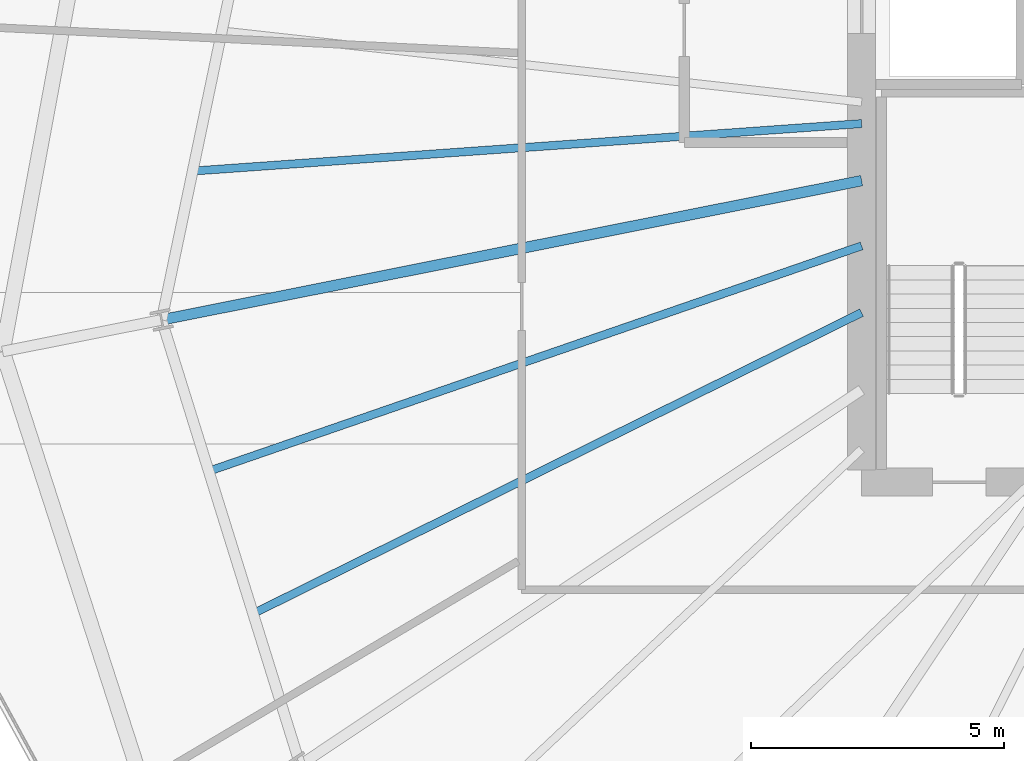
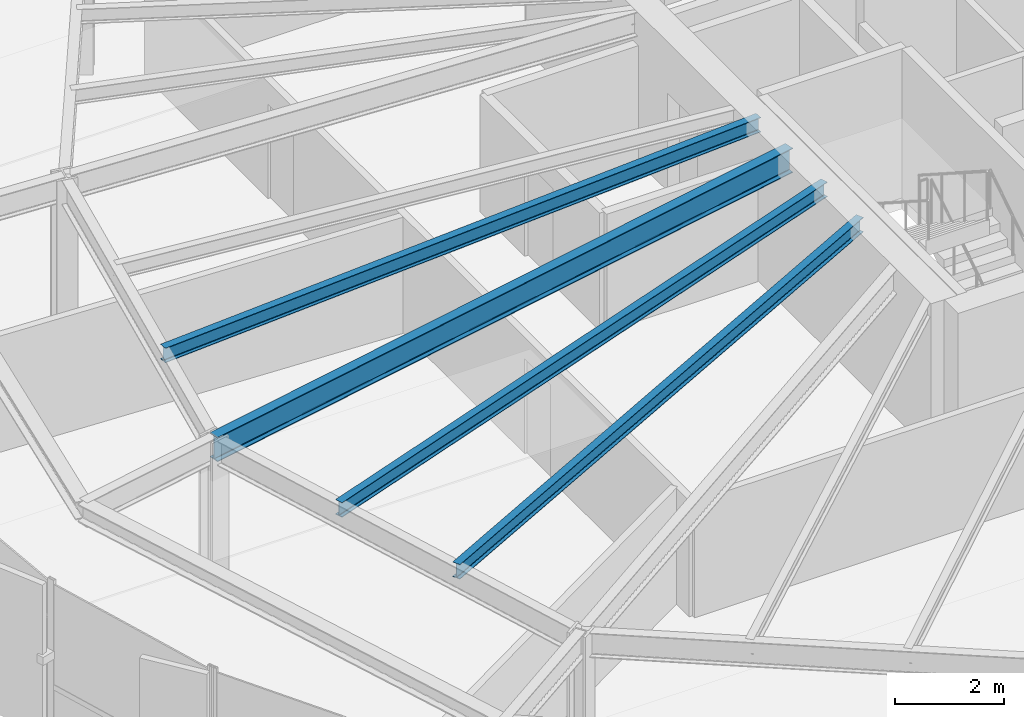
# One storey, part 8 of 34: 4 beams.
"""IFC4 building model written with IfcOpenShell, lengths in metres."""

from ifc_helpers import new_model, si_unit, direction, frame, origin, origin_2d, place, context, subcontext, project, spatial, i_section, extrude, source, transform, mapped, material, material_profile, profile_set, type_object, element, save


model = new_model("IFC4")

# Units and contexts
model_context = context("Model", 3, precision=1e-05, world=origin(), true_north=direction((0.0, 1.0)))
body_context = subcontext(model_context, "Body", "Model", "MODEL_VIEW")
ifc_project = project(units=[si_unit("LENGTHUNIT", "METRE"), si_unit("AREAUNIT", "SQUARE_METRE"), si_unit("VOLUMEUNIT", "CUBIC_METRE"), si_unit("PLANEANGLEUNIT", "RADIAN"), si_unit("MASSUNIT", "GRAM", prefix="KILO"), si_unit("THERMODYNAMICTEMPERATUREUNIT", "KELVIN")], contexts=[model_context])

# Site, building, storey
site_placement = place(None, origin())
site = spatial("IfcSite", under=ifc_project, at=site_placement, CompositionType="ELEMENT")
building_placement = place(site_placement, origin())
building = spatial("IfcBuilding", under=site, at=building_placement, Name="Kethvar Cultural Tower", CompositionType="ELEMENT")
storey_placement = place(building_placement, frame((0.0, 0.0, 125.199951171875)))
storey = spatial("IfcBuildingStorey", under=building, at=storey_placement, Name="L31", CompositionType="ELEMENT", Elevation=125.199951171875)

# Beams
ifc_material = material(Name="Steel S355J2", Category="steel")
ifc_material_profile_1 = material_profile(ifc_material, i_section(OverallWidth=0.2099609375, OverallDepth=0.550048828125, WebThickness=0.010986328125, FlangeThickness=0.01708984375, FilletRadius=0.02392578125, at=origin_2d()), Name="Steel S355J2 — IPE550")
ifc_profile_set_1 = profile_set([ifc_material_profile_1], Name="Steel S355J2 — IPE550")
beam_type_1 = type_object("IfcBeamType", Name="BM-IPE550", PredefinedType="BEAM", material=ifc_profile_set_1)
shared_shape_1 = source(origin(), body_context, "Body", "SweptSolid", [
    extrude(i_section(OverallWidth=0.2099609375, OverallDepth=0.550048828125, WebThickness=0.010986328125, FlangeThickness=0.01708984375, FilletRadius=0.02392578125, at=origin_2d()), origin(), (0.0, 0.0, 1.0), 14.085205078125),
])
beam_1_placement = place(storey_placement, frame((38.0, 26.049560546875, 3.072998046875), z_axis=(-0.98078679373, -0.195082713854, 0.0), x_axis=(0.195082713854, -0.98078679373, 0.0)))
element("IfcBeam", 1, at=beam_1_placement, inside=storey, type_object=beam_type_1, Name="L31 Primary Radial Beam RB-09", PredefinedType="BEAM", context=body_context, shape_type="MappedRepresentation", body=[
    mapped(shared_shape_1, transform((0.0, 0.0, 0.0), scale=1.0)),
])
ifc_material_profile_2 = material_profile(ifc_material, i_section(OverallWidth=0.159912109375, OverallDepth=0.330078125, WebThickness=0.007568359375, FlangeThickness=0.011474609375, FilletRadius=0.01806640625, at=origin_2d()), Name="Steel S355J2 — IPE330")
ifc_profile_set_2 = profile_set([ifc_material_profile_2], Name="Steel S355J2 — IPE330")
beam_type_2 = type_object("IfcBeamType", Name="BM-J330", PredefinedType="JOIST", material=ifc_profile_set_2)
shared_shape_2 = source(origin(), body_context, "Body", "SweptSolid", [
    extrude(i_section(OverallWidth=0.159912109375, OverallDepth=0.330078125, WebThickness=0.007568359375, FlangeThickness=0.011474609375, FilletRadius=0.01806640625, at=origin_2d()), origin(), (0.0, 0.0, 1.0), 13.234619140625),
])
beam_2_placement = place(storey_placement, frame((38.0, 27.175537109375, 3.18310546875), z_axis=(-0.997490530945, -0.070800004767, 0.0), x_axis=(0.070800004767, -0.997490530945, 0.0)))
element("IfcBeam", 2, at=beam_2_placement, inside=storey, type_object=beam_type_2, Name="L31 Composite Floor Joist J-08B", PredefinedType="JOIST", context=body_context, shape_type="MappedRepresentation", body=[
    mapped(shared_shape_2, transform((0.0, 0.0, 0.0), scale=1.0)),
])
shared_shape_3 = source(origin(), body_context, "Body", "SweptSolid", [
    extrude(i_section(OverallWidth=0.159912109375, OverallDepth=0.330078125, WebThickness=0.007568359375, FlangeThickness=0.011474609375, FilletRadius=0.01806640625, at=origin_2d()), origin(), (0.0, 0.0, 1.0), 13.630615234375),
])
beam_3_placement = place(storey_placement, frame((38.0, 24.762451171875, 3.18310546875), z_axis=(-0.945269577646, -0.326290400682, 0.0), x_axis=(0.326290400682, -0.945269577646, 0.0)))
element("IfcBeam", 3, at=beam_3_placement, inside=storey, type_object=beam_type_2, Name="L31 Composite Floor Joist J-09A", PredefinedType="JOIST", context=body_context, shape_type="MappedRepresentation", body=[
    mapped(shared_shape_3, transform((0.0, 0.0, 0.0), scale=1.0)),
])
shared_shape_4 = source(origin(), body_context, "Body", "SweptSolid", [
    extrude(i_section(OverallWidth=0.159912109375, OverallDepth=0.330078125, WebThickness=0.007568359375, FlangeThickness=0.011474609375, FilletRadius=0.01806640625, at=origin_2d()), origin(), (0.0, 0.0, 1.0), 13.39892578125),
])
beam_4_placement = place(storey_placement, frame((38.0, 23.44580078125, 3.18310546875), z_axis=(-0.896292467417, -0.44346342899, 0.0), x_axis=(0.44346342899, -0.896292467417, 0.0)))
element("IfcBeam", 4, at=beam_4_placement, inside=storey, type_object=beam_type_2, Name="L31 Composite Floor Joist J-09B", PredefinedType="JOIST", context=body_context, shape_type="MappedRepresentation", body=[
    mapped(shared_shape_4, transform((0.0, 0.0, 0.0), scale=1.0)),
])

save(model, "model.ifc")
